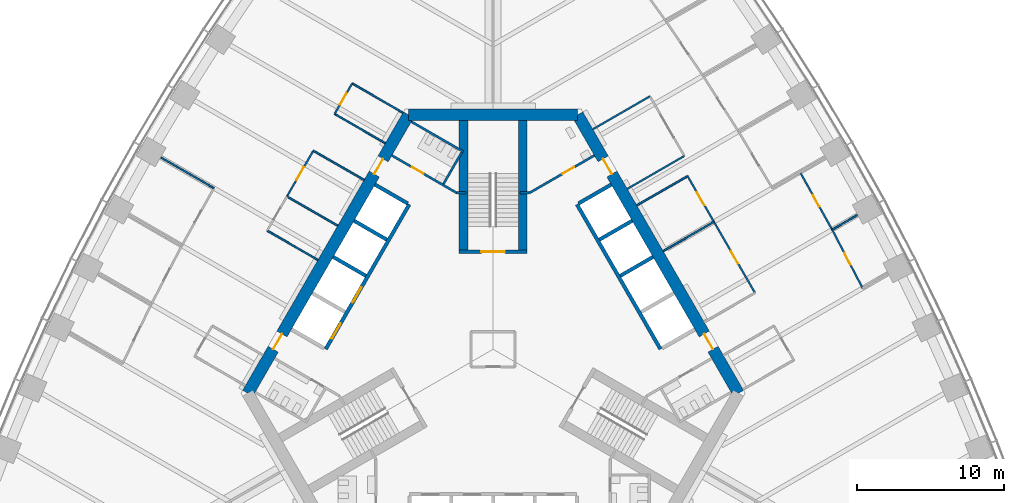
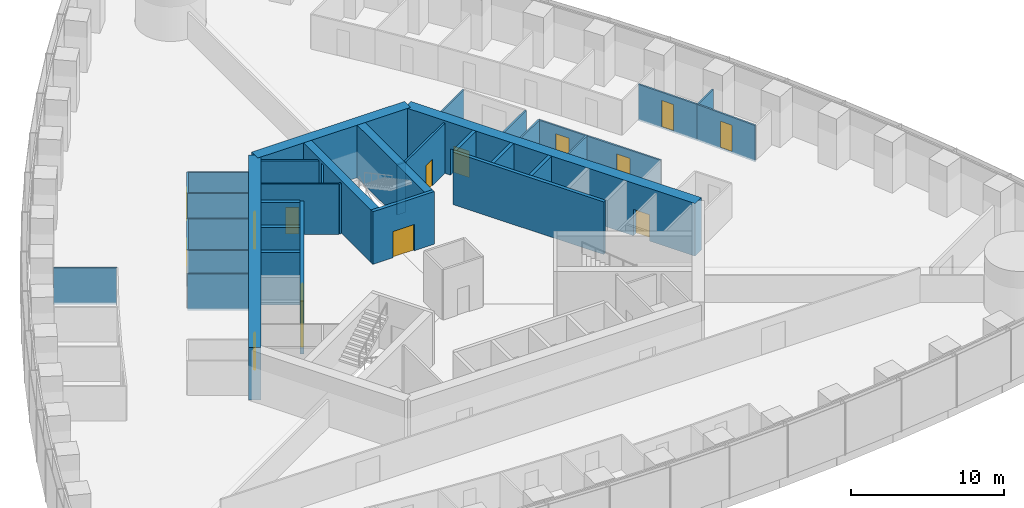
# One storey, part 12 of 18: 37 walls, 15 doors, 15 openings.
"""IFC4 building model written with IfcOpenShell, lengths in metres."""

from ifc_helpers import new_model, si_unit, direction, frame, frame_2d, origin, place, context, subcontext, project, spatial, rectangle, extrude, material, layer, layer_set, type_object, element, fill, save


model = new_model("IFC4")

# Units and contexts
model_context = context("Model", 3, precision=1e-05, world=origin(), true_north=direction((0.0, 1.0)))
body_context = subcontext(model_context, "Body", "Model", "MODEL_VIEW")
ifc_project = project(units=[si_unit("LENGTHUNIT", "METRE"), si_unit("AREAUNIT", "SQUARE_METRE"), si_unit("VOLUMEUNIT", "CUBIC_METRE"), si_unit("PLANEANGLEUNIT", "RADIAN"), si_unit("MASSUNIT", "GRAM", prefix="KILO")], contexts=[model_context])

# Site, building, storey
site_placement = place(None, origin())
site = spatial("IfcSite", under=ifc_project, at=site_placement, CompositionType="ELEMENT")
building_placement = place(site_placement, origin())
building = spatial("IfcBuilding", under=site, at=building_placement, Name="Trefoil Bronze Tower", CompositionType="ELEMENT")
storey_placement = place(building_placement, frame((0.0, 0.0, 33.300048828125)))
storey = spatial("IfcBuildingStorey", under=building, at=storey_placement, Name="L07", CompositionType="ELEMENT", Elevation=33.300048828125)

# Wall, openings, doors
ifc_material_1 = material(Name="Concrete B80", Category="concrete")
ifc_layer_1 = layer(ifc_material_1, 0.800048828125)
ifc_layer_set_1 = layer_set([ifc_layer_1], Name="Core wall 800")
wall_type_1 = type_object("IfcWallType", Name="Core wall 800", PredefinedType="SHEAR", material=ifc_layer_set_1)
wall_1_placement = place(storey_placement, frame((16.7431640625, -3.0, 0.0), z_axis=(0.0, 0.0, 1.0), x_axis=(-0.500002442456, 0.866023993627, 0.0)))
wall_1 = element("IfcWall", 1, at=wall_1_placement, inside=storey, type_object=wall_type_1, Name="Core long wall 2 L07", PredefinedType="SHEAR", context=body_context, shape_type="SweptSolid", body=[
    extrude(rectangle(XDim=21.939453125, YDim=0.800048828125, at=frame_2d((10.9697265625, 0.0))), origin(), (0.0, 0.0, 1.0), 4.199951171875),
])
opening_1_placement = place(wall_1_placement, frame((17.269775390625, 0.0, 0.0)))
opening_1 = element("IfcOpeningElement", 2, at=opening_1_placement, cuts=wall_1, Name="Opening D2", PredefinedType="OPENING", context=body_context, shape_type="SweptSolid", body=[
    extrude(rectangle(XDim=1.199951171875, YDim=2.10009765625, at=frame_2d((0.60009765625, 1.050048828125))), frame((0.0, 0.409912109375, 0.0), z_axis=(0.0, -1.0, 0.0), x_axis=(1.0, 0.0, 0.0)), (0.0, 0.0, 1.0), 0.820068359375),
])
opening_2_placement = place(wall_1_placement, frame((3.4697265625, 0.0, 0.0)))
opening_2 = element("IfcOpeningElement", 3, at=opening_2_placement, cuts=wall_1, Name="Opening D2", PredefinedType="OPENING", context=body_context, shape_type="SweptSolid", body=[
    extrude(rectangle(XDim=1.199951171875, YDim=2.10009765625, at=frame_2d((0.60009765625, 1.050048828125))), frame((0.0, 0.409912109375, 0.0), z_axis=(0.0, -1.0, 0.0), x_axis=(1.0, 0.0, 0.0)), (0.0, 0.0, 1.0), 0.820068359375),
])
ifc_material_2 = material(Name="Steel door", Category="steel")
door_type_1 = type_object("IfcDoorType", Name="Lobby door 1200", OperationType="SINGLE_SWING_RIGHT", PredefinedType="DOOR", material=ifc_material_2)
door_1_placement = place(opening_1_placement, origin())
door_1 = element("IfcDoor", 4, at=door_1_placement, inside=storey, type_object=door_type_1, Name="Lobby door F2+ L07", OperationType="SINGLE_SWING_RIGHT", OverallHeight=2.10009765625, OverallWidth=1.199951171875, PredefinedType="DOOR", context=body_context, shape_type="SweptSolid", body=[
    extrude(rectangle(XDim=1.199951171875, YDim=2.10009765625, at=frame_2d((0.60009765625, 1.050048828125))), frame((0.0, 0.02490234375, 0.0), z_axis=(0.0, -1.0, 0.0), x_axis=(1.0, 0.0, 0.0)), (0.0, 0.0, 1.0), 0.050048828125),
])
fill(opening_1, door_1)
door_2_placement = place(opening_2_placement, origin())
door_2 = element("IfcDoor", 5, at=door_2_placement, inside=storey, type_object=door_type_1, Name="Lobby door F2- L07", OperationType="SINGLE_SWING_LEFT", OverallHeight=2.10009765625, OverallWidth=1.199951171875, PredefinedType="DOOR", context=body_context, shape_type="SweptSolid", body=[
    extrude(rectangle(XDim=1.199951171875, YDim=2.10009765625, at=frame_2d((0.60009765625, 1.050048828125))), frame((0.0, 0.02490234375, 0.0), z_axis=(0.0, -1.0, 0.0), x_axis=(1.0, 0.0, 0.0)), (0.0, 0.0, 1.0), 0.050048828125),
])
fill(opening_2, door_2)

# Wall
wall_2_placement = place(storey_placement, frame((5.7734375, 16.0, 0.0), z_axis=(0.0, 0.0, 1.0), x_axis=(-1.0, 0.0, 0.0)))
element("IfcWall", 6, at=wall_2_placement, inside=storey, type_object=wall_type_1, Name="Core short wall 2 L07", PredefinedType="SHEAR", context=body_context, shape_type="SweptSolid", body=[
    extrude(rectangle(XDim=11.546875, YDim=0.800048828125, at=frame_2d((5.7734375, 0.0))), origin(), (0.0, 0.0, 1.0), 4.199951171875),
])

# Wall, openings, doors
wall_3_placement = place(storey_placement, frame((-5.7734375, 16.0, 0.0), z_axis=(0.0, 0.0, 1.0), x_axis=(-0.500002442456, -0.866023993627, 0.0)))
wall_3 = element("IfcWall", 7, at=wall_3_placement, inside=storey, type_object=wall_type_1, Name="Core long wall 3 L07", PredefinedType="SHEAR", context=body_context, shape_type="SweptSolid", body=[
    extrude(rectangle(XDim=21.939453125, YDim=0.800048828125, at=frame_2d((10.9697265625, 0.0))), origin(), (0.0, 0.0, 1.0), 4.199951171875),
])
opening_3_placement = place(wall_3_placement, frame((17.269775390625, 0.0, 0.0)))
opening_3 = element("IfcOpeningElement", 8, at=opening_3_placement, cuts=wall_3, Name="Opening D2", PredefinedType="OPENING", context=body_context, shape_type="SweptSolid", body=[
    extrude(rectangle(XDim=1.199951171875, YDim=2.10009765625, at=frame_2d((0.60009765625, 1.050048828125))), frame((0.0, 0.409912109375, 0.0), z_axis=(0.0, -1.0, 0.0), x_axis=(1.0, 0.0, 0.0)), (0.0, 0.0, 1.0), 0.820068359375),
])
opening_4_placement = place(wall_3_placement, frame((3.4697265625, 0.0, 0.0)))
opening_4 = element("IfcOpeningElement", 9, at=opening_4_placement, cuts=wall_3, Name="Opening D2", PredefinedType="OPENING", context=body_context, shape_type="SweptSolid", body=[
    extrude(rectangle(XDim=1.199951171875, YDim=2.10009765625, at=frame_2d((0.60009765625, 1.050048828125))), frame((0.0, 0.409912109375, 0.0), z_axis=(0.0, -1.0, 0.0), x_axis=(1.0, 0.0, 0.0)), (0.0, 0.0, 1.0), 0.820068359375),
])
door_3_placement = place(opening_3_placement, origin())
door_3 = element("IfcDoor", 10, at=door_3_placement, inside=storey, type_object=door_type_1, Name="Lobby door F3+ L07", OperationType="SINGLE_SWING_RIGHT", OverallHeight=2.10009765625, OverallWidth=1.199951171875, PredefinedType="DOOR", context=body_context, shape_type="SweptSolid", body=[
    extrude(rectangle(XDim=1.199951171875, YDim=2.10009765625, at=frame_2d((0.60009765625, 1.050048828125))), frame((0.0, 0.02490234375, 0.0), z_axis=(0.0, -1.0, 0.0), x_axis=(1.0, 0.0, 0.0)), (0.0, 0.0, 1.0), 0.050048828125),
])
fill(opening_3, door_3)
door_4_placement = place(opening_4_placement, origin())
door_4 = element("IfcDoor", 11, at=door_4_placement, inside=storey, type_object=door_type_1, Name="Lobby door F3- L07", OperationType="SINGLE_SWING_LEFT", OverallHeight=2.10009765625, OverallWidth=1.199951171875, PredefinedType="DOOR", context=body_context, shape_type="SweptSolid", body=[
    extrude(rectangle(XDim=1.199951171875, YDim=2.10009765625, at=frame_2d((0.60009765625, 1.050048828125))), frame((0.0, 0.02490234375, 0.0), z_axis=(0.0, -1.0, 0.0), x_axis=(1.0, 0.0, 0.0)), (0.0, 0.0, 1.0), 0.050048828125),
])
fill(opening_4, door_4)

# Wall, opening, door
ifc_material_3 = material(Name="Glazed partition", Category="glass")
ifc_layer_2 = layer(ifc_material_3, 0.1201171875)
ifc_layer_set_2 = layer_set([ifc_layer_2], Name="Glazed partition 120")
wall_type_2 = type_object("IfcWallType", Name="Glazed partition 120", PredefinedType="PARTITIONING", material=ifc_layer_set_2)
wall_4_placement = place(storey_placement, frame((15.06884765625, 8.699951171875, 0.0), z_axis=(0.0, 0.0, 1.0), x_axis=(-0.500012057535, 0.866018442252, 0.0)))
wall_4 = element("IfcWall", 12, at=wall_4_placement, inside=storey, type_object=wall_type_2, Name="Partition F2 L07", PredefinedType="PARTITIONING", context=body_context, shape_type="SweptSolid", body=[
    extrude(rectangle(XDim=3.60009765625, YDim=0.1201171875, at=frame_2d((1.800048828125, 0.0))), origin(), (0.0, 0.0, 1.0), 2.89990234375),
])
opening_5_placement = place(wall_4_placement, frame((1.300048828125, 0.0, 0.14990234375)))
opening_5 = element("IfcOpeningElement", 13, at=opening_5_placement, cuts=wall_4, Name="Opening D9", PredefinedType="OPENING", context=body_context, shape_type="SweptSolid", body=[
    extrude(rectangle(XDim=1.0, YDim=2.10009765625, at=frame_2d((0.5, 1.050048828125))), frame((0.0, 0.070068359375, 0.0), z_axis=(0.0, -1.0, 0.0), x_axis=(1.0, 0.0, 0.0)), (0.0, 0.0, 1.0), 0.14013671875),
])
ifc_material_4 = material(Name="Glazed timber door", Category="wood")
door_type_2 = type_object("IfcDoorType", Name="Meeting room door 1000", OperationType="SINGLE_SWING_LEFT", PredefinedType="DOOR", material=ifc_material_4)
door_5_placement = place(opening_5_placement, origin())
door_5 = element("IfcDoor", 14, at=door_5_placement, inside=storey, type_object=door_type_2, Name="Meeting room door F2 L07", OperationType="SINGLE_SWING_LEFT", OverallHeight=2.10009765625, OverallWidth=1.0, PredefinedType="DOOR", context=body_context, shape_type="SweptSolid", body=[
    extrude(rectangle(XDim=1.0, YDim=2.10009765625, at=frame_2d((0.5, 1.050048828125))), frame((0.0, 0.02490234375, 0.0), z_axis=(0.0, -1.0, 0.0), x_axis=(1.0, 0.0, 0.0)), (0.0, 0.0, 1.0), 0.050048828125),
])
fill(opening_5, door_5)

wall_5_placement = place(storey_placement, frame((17.868896484375, 3.850341796875, 0.0), z_axis=(0.0, 0.0, 1.0), x_axis=(-0.500016814911, 0.866015695474, 0.0)))
wall_5 = element("IfcWall", 15, at=wall_5_placement, inside=storey, type_object=wall_type_2, Name="Partition F2 L07", PredefinedType="PARTITIONING", context=body_context, shape_type="SweptSolid", body=[
    extrude(rectangle(XDim=5.599853515625, YDim=0.1201171875, at=frame_2d((2.7998046875, 0.0))), origin(), (0.0, 0.0, 1.0), 2.89990234375),
])
opening_6_placement = place(wall_5_placement, frame((2.300048828125, 0.0, 0.14990234375)))
opening_6 = element("IfcOpeningElement", 16, at=opening_6_placement, cuts=wall_5, Name="Opening D9", PredefinedType="OPENING", context=body_context, shape_type="SweptSolid", body=[
    extrude(rectangle(XDim=1.0, YDim=2.10009765625, at=frame_2d((0.5, 1.050048828125))), frame((0.0, 0.070068359375, 0.0), z_axis=(0.0, -1.0, 0.0), x_axis=(1.0, 0.0, 0.0)), (0.0, 0.0, 1.0), 0.14013671875),
])
door_6_placement = place(opening_6_placement, origin())
door_6 = element("IfcDoor", 17, at=door_6_placement, inside=storey, type_object=door_type_2, Name="Meeting room door F2 L07", OperationType="SINGLE_SWING_RIGHT", OverallHeight=2.10009765625, OverallWidth=1.0, PredefinedType="DOOR", context=body_context, shape_type="SweptSolid", body=[
    extrude(rectangle(XDim=1.0, YDim=2.10009765625, at=frame_2d((0.5, 1.050048828125))), frame((0.0, 0.02490234375, 0.0), z_axis=(0.0, -1.0, 0.0), x_axis=(1.0, 0.0, 0.0)), (0.0, 0.0, 1.0), 0.050048828125),
])
fill(opening_6, door_6)

# Walls
wall_6_placement = place(storey_placement, frame((9.8046875, 9.817626953125, 0.0), z_axis=(0.0, 0.0, 1.0), x_axis=(0.866026010844, 0.49999894854, 0.0)))
element("IfcWall", 18, at=wall_6_placement, inside=storey, type_object=wall_type_2, Name="Partition F2 L07", PredefinedType="PARTITIONING", context=body_context, shape_type="SweptSolid", body=[
    extrude(rectangle(XDim=4.0, YDim=0.1201171875, at=frame_2d((2.0, 0.0))), origin(), (0.0, 0.0, 1.0), 2.89990234375),
])
wall_7_placement = place(storey_placement, frame((9.15478515625, 10.943603515625, 0.0), z_axis=(0.0, 0.0, 1.0), x_axis=(0.866017533419, 0.500013631625, 0.0)))
element("IfcWall", 19, at=wall_7_placement, inside=storey, type_object=wall_type_2, Name="Partition F2 L07", PredefinedType="PARTITIONING", context=body_context, shape_type="SweptSolid", body=[
    extrude(rectangle(XDim=4.499755859375, YDim=0.1201171875, at=frame_2d((2.25, 0.0))), origin(), (0.0, 0.0, 1.0), 2.89990234375),
])
wall_8_placement = place(storey_placement, frame((6.8046875, 15.013916015625, 0.0), z_axis=(0.0, 0.0, 1.0), x_axis=(0.866031096941, 0.499990139034, 0.0)))
element("IfcWall", 20, at=wall_8_placement, inside=storey, type_object=wall_type_2, Name="Partition F2 L07", PredefinedType="PARTITIONING", context=body_context, shape_type="SweptSolid", body=[
    extrude(rectangle(XDim=4.5, YDim=0.1201171875, at=frame_2d((2.25, 0.0))), origin(), (0.0, 0.0, 1.0), 2.89990234375),
])
wall_9_placement = place(storey_placement, frame((11.604736328125, 6.699951171875, 0.0), z_axis=(0.0, 0.0, 1.0), x_axis=(0.866026010844, 0.49999894854, 0.0)))
element("IfcWall", 21, at=wall_9_placement, inside=storey, type_object=wall_type_2, Name="Partition F2 L07", PredefinedType="PARTITIONING", context=body_context, shape_type="SweptSolid", body=[
    extrude(rectangle(XDim=4.0, YDim=0.1201171875, at=frame_2d((2.0, 0.0))), origin(), (0.0, 0.0, 1.0), 2.89990234375),
])

# Wall, opening, door
wall_10_placement = place(storey_placement, frame((23.13720703125, 8.162109375, 0.0), z_axis=(0.0, 0.0, 1.0), x_axis=(-0.487415216275, 0.87317031955, 0.0)))
wall_10 = element("IfcWall", 22, at=wall_10_placement, inside=storey, type_object=wall_type_2, Name="Partition F2 L07", PredefinedType="PARTITIONING", context=body_context, shape_type="SweptSolid", body=[
    extrude(rectangle(XDim=4.50048828125, YDim=0.1201171875, at=frame_2d((2.250244140625, 0.0))), origin(), (0.0, 0.0, 1.0), 2.89990234375),
])
opening_7_placement = place(wall_10_placement, frame((1.800048828125, 0.0, 0.14990234375)))
opening_7 = element("IfcOpeningElement", 23, at=opening_7_placement, cuts=wall_10, Name="Opening D8", PredefinedType="OPENING", context=body_context, shape_type="SweptSolid", body=[
    extrude(rectangle(XDim=0.89990234375, YDim=2.10009765625, at=frame_2d((0.449951171875, 1.050048828125))), frame((0.0, 0.070068359375, 0.0), z_axis=(0.0, -1.0, 0.0), x_axis=(1.0, 0.0, 0.0)), (0.0, 0.0, 1.0), 0.14013671875),
])
ifc_material_5 = material(Name="Timber door", Category="wood")
door_type_3 = type_object("IfcDoorType", Name="Office door 900", OperationType="SINGLE_SWING_LEFT", PredefinedType="DOOR", material=ifc_material_5)
door_7_placement = place(opening_7_placement, frame((0.89990234375, 0.0, 0.0), z_axis=(0.0, 0.0, 1.0), x_axis=(-1.0, 0.0, 0.0)))
door_7 = element("IfcDoor", 24, at=door_7_placement, inside=storey, type_object=door_type_3, Name="Print and store room door F2 L07", OperationType="SINGLE_SWING_RIGHT", OverallHeight=2.10009765625, OverallWidth=0.89990234375, PredefinedType="DOOR", context=body_context, shape_type="SweptSolid", body=[
    extrude(rectangle(XDim=0.89990234375, YDim=2.10009765625, at=frame_2d((0.449951171875, 1.050048828125))), frame((0.0, 0.02490234375, 0.0), z_axis=(0.0, -1.0, 0.0), x_axis=(1.0, 0.0, 0.0)), (0.0, 0.0, 1.0), 0.050048828125),
])
fill(opening_7, door_7)

wall_11_placement = place(storey_placement, frame((25.21728515625, 4.1669921875, 0.0), z_axis=(0.0, 0.0, 1.0), x_axis=(-0.461810056307, 0.886978845235, 0.0)))
wall_11 = element("IfcWall", 25, at=wall_11_placement, inside=storey, type_object=wall_type_2, Name="Partition F2 L07", PredefinedType="PARTITIONING", context=body_context, shape_type="SweptSolid", body=[
    extrude(rectangle(XDim=4.504150390625, YDim=0.1201171875, at=frame_2d((2.251953125, 0.0))), origin(), (0.0, 0.0, 1.0), 2.89990234375),
])
opening_8_placement = place(wall_11_placement, frame((1.800048828125, 0.0, 0.14990234375)))
opening_8 = element("IfcOpeningElement", 26, at=opening_8_placement, cuts=wall_11, Name="Opening D8", PredefinedType="OPENING", context=body_context, shape_type="SweptSolid", body=[
    extrude(rectangle(XDim=0.89990234375, YDim=2.10009765625, at=frame_2d((0.449951171875, 1.050048828125))), frame((0.0, 0.070068359375, 0.0), z_axis=(0.0, -1.0, 0.0), x_axis=(1.0, 0.0, 0.0)), (0.0, 0.0, 1.0), 0.14013671875),
])
door_8_placement = place(opening_8_placement, frame((0.89990234375, 0.0, 0.0), z_axis=(0.0, 0.0, 1.0), x_axis=(-1.0, 0.0, 0.0)))
door_8 = element("IfcDoor", 27, at=door_8_placement, inside=storey, type_object=door_type_3, Name="Comms room door F2 L07", OperationType="SINGLE_SWING_RIGHT", OverallHeight=2.10009765625, OverallWidth=0.89990234375, PredefinedType="DOOR", context=body_context, shape_type="SweptSolid", body=[
    extrude(rectangle(XDim=0.89990234375, YDim=2.10009765625, at=frame_2d((0.449951171875, 1.050048828125))), frame((0.0, 0.02490234375, 0.0), z_axis=(0.0, -1.0, 0.0), x_axis=(1.0, 0.0, 0.0)), (0.0, 0.0, 1.0), 0.050048828125),
])
fill(opening_8, door_8)

# Wall
wall_12_placement = place(storey_placement, frame((23.13720703125, 8.162109375, 0.0), z_axis=(0.0, 0.0, 1.0), x_axis=(0.866023728021, 0.500002902497, 0.0)))
element("IfcWall", 28, at=wall_12_placement, inside=storey, type_object=wall_type_2, Name="Partition F2 L07", PredefinedType="PARTITIONING", context=body_context, shape_type="SweptSolid", body=[
    extrude(rectangle(XDim=1.984375, YDim=0.1201171875, at=frame_2d((0.9921875, 0.0))), origin(), (0.0, 0.0, 1.0), 2.89990234375),
])

# Wall, opening, door
wall_13_placement = place(storey_placement, frame((-9.618896484375, 18.1396484375, 0.0), z_axis=(0.0, 0.0, 1.0), x_axis=(-0.500001309137, -0.866024647952, 0.0)))
wall_13 = element("IfcWall", 29, at=wall_13_placement, inside=storey, type_object=wall_type_2, Name="Partition F3 L07", PredefinedType="PARTITIONING", context=body_context, shape_type="SweptSolid", body=[
    extrude(rectangle(XDim=2.39990234375, YDim=0.1201171875, at=frame_2d((1.199951171875, 0.0))), origin(), (0.0, 0.0, 1.0), 2.89990234375),
])
opening_9_placement = place(wall_13_placement, frame((0.75, 0.0, 0.14990234375)))
opening_9 = element("IfcOpeningElement", 30, at=opening_9_placement, cuts=wall_13, Name="Opening D8", PredefinedType="OPENING", context=body_context, shape_type="SweptSolid", body=[
    extrude(rectangle(XDim=0.89990234375, YDim=2.10009765625, at=frame_2d((0.449951171875, 1.050048828125))), frame((0.0, 0.070068359375, 0.0), z_axis=(0.0, -1.0, 0.0), x_axis=(1.0, 0.0, 0.0)), (0.0, 0.0, 1.0), 0.14013671875),
])
door_9_placement = place(opening_9_placement, origin())
door_9 = element("IfcDoor", 31, at=door_9_placement, inside=storey, type_object=door_type_3, Name="Store door F3 L07", OperationType="SINGLE_SWING_RIGHT", OverallHeight=2.10009765625, OverallWidth=0.89990234375, PredefinedType="DOOR", context=body_context, shape_type="SweptSolid", body=[
    extrude(rectangle(XDim=0.89990234375, YDim=2.10009765625, at=frame_2d((0.449951171875, 1.050048828125))), frame((0.0, 0.02490234375, 0.0), z_axis=(0.0, -1.0, 0.0), x_axis=(1.0, 0.0, 0.0)), (0.0, 0.0, 1.0), 0.050048828125),
])
fill(opening_9, door_9)

wall_14_placement = place(storey_placement, frame((-12.268798828125, 13.5498046875, 0.0), z_axis=(0.0, 0.0, 1.0), x_axis=(-0.500012057535, -0.866018442252, 0.0)))
wall_14 = element("IfcWall", 32, at=wall_14_placement, inside=storey, type_object=wall_type_2, Name="Partition F3 L07", PredefinedType="PARTITIONING", context=body_context, shape_type="SweptSolid", body=[
    extrude(rectangle(XDim=3.60009765625, YDim=0.1201171875, at=frame_2d((1.800048828125, 0.0))), origin(), (0.0, 0.0, 1.0), 2.89990234375),
])
opening_10_placement = place(wall_14_placement, frame((1.300048828125, 0.0, 0.14990234375)))
opening_10 = element("IfcOpeningElement", 33, at=opening_10_placement, cuts=wall_14, Name="Opening D9", PredefinedType="OPENING", context=body_context, shape_type="SweptSolid", body=[
    extrude(rectangle(XDim=1.0, YDim=2.10009765625, at=frame_2d((0.5, 1.050048828125))), frame((0.0, 0.070068359375, 0.0), z_axis=(0.0, -1.0, 0.0), x_axis=(1.0, 0.0, 0.0)), (0.0, 0.0, 1.0), 0.14013671875),
])
door_10_placement = place(opening_10_placement, origin())
door_10 = element("IfcDoor", 34, at=door_10_placement, inside=storey, type_object=door_type_2, Name="Meeting room door F3 L07", OperationType="SINGLE_SWING_RIGHT", OverallHeight=2.10009765625, OverallWidth=1.0, PredefinedType="DOOR", context=body_context, shape_type="SweptSolid", body=[
    extrude(rectangle(XDim=1.0, YDim=2.10009765625, at=frame_2d((0.5, 1.050048828125))), frame((0.0, 0.02490234375, 0.0), z_axis=(0.0, -1.0, 0.0), x_axis=(1.0, 0.0, 0.0)), (0.0, 0.0, 1.0), 0.050048828125),
])
fill(opening_10, door_10)

# Walls
for number, where, z_axis, x_axis, name in (
    (35, (-11.954833984375, 6.09375, 0.0), (0.0, 0.0, 1.0), (-0.866026010844, 0.49999894854, 0.0), "Partition F3 L07"),
    (36, (-6.15478515625, 16.1396484375, 0.0), (0.0, 0.0, 1.0), (-0.866026010844, 0.49999894854, 0.0), "Partition F3 L07"),
    (37, (-10.604736328125, 8.43212890625, 0.0), (0.0, 0.0, 1.0), (-0.866026010844, 0.49999894854, 0.0), "Partition F3 L07"),
    (38, (-8.8046875, 11.5498046875, 0.0), (0.0, 0.0, 1.0), (-0.866026010844, 0.49999894854, 0.0), "Partition F3 L07"),
    (39, (-7.354736328125, 14.061279296875, 0.0), (0.0, 0.0, 1.0), (-0.866026010844, 0.49999894854, 0.0), "Partition F3 L07"),
):
    element("IfcWall", number, at=place(storey_placement, frame(where, z_axis=z_axis, x_axis=x_axis)), inside=storey, type_object=wall_type_2, Name=name, PredefinedType="PARTITIONING", context=body_context, shape_type="SweptSolid", body=[
        extrude(rectangle(XDim=4.0, YDim=0.1201171875, at=frame_2d((2.0, 0.0))), origin(), (0.0, 0.0, 1.0), 2.89990234375),
    ])
wall_15_placement = place(storey_placement, frame((-19.051513671875, 10.999267578125, 0.0), z_axis=(0.0, 0.0, 1.0), x_axis=(-0.866004239599, 0.500036655653, 0.0)))
element("IfcWall", 40, at=wall_15_placement, inside=storey, type_object=wall_type_2, Name="Partition F3 L07", PredefinedType="PARTITIONING", context=body_context, shape_type="SweptSolid", body=[
    extrude(rectangle(XDim=4.170166015625, YDim=0.1201171875, at=frame_2d((2.0849609375, 0.0))), origin(), (0.0, 0.0, 1.0), 2.89990234375),
])

# Wall, opening, door
ifc_material_6 = material(Name="Gypsum board on steel studs", Category="steel")
ifc_layer_3 = layer(ifc_material_6, 0.14990234375)
ifc_layer_set_3 = layer_set([ifc_layer_3], Name="Partition 150")
wall_type_3 = type_object("IfcWallType", Name="Partition 150", PredefinedType="PARTITIONING", material=ifc_layer_set_3)
wall_16_placement = place(storey_placement, frame((2.4951171875, 10.67822265625, 0.0), z_axis=(0.0, 0.0, 1.0), x_axis=(0.86602216432, 0.500005610874, 0.0)))
wall_16 = element("IfcWall", 41, at=wall_16_placement, inside=storey, type_object=wall_type_3, Name="Passage wall F2+ L07", PredefinedType="PARTITIONING", context=body_context, shape_type="SweptSolid", body=[
    extrude(rectangle(XDim=5.10009765625, YDim=0.14990234375, at=frame_2d((2.550048828125, 0.0))), origin(), (0.0, 0.0, 1.0), 4.0),
])
opening_11_placement = place(wall_16_placement, frame((2.60009765625, 0.0, 0.0)))
opening_11 = element("IfcOpeningElement", 42, at=opening_11_placement, cuts=wall_16, Name="Opening D3", PredefinedType="OPENING", context=body_context, shape_type="SweptSolid", body=[
    extrude(rectangle(XDim=0.89990234375, YDim=2.10009765625, at=frame_2d((0.449951171875, 1.050048828125))), frame((0.0, 0.0849609375, 0.0), z_axis=(0.0, -1.0, 0.0), x_axis=(1.0, 0.0, 0.0)), (0.0, 0.0, 1.0), 0.169921875),
])
ifc_material_7 = material(Name="Timber door", Category="wood")
door_type_4 = type_object("IfcDoorType", Name="WC door 900", OperationType="SINGLE_SWING_LEFT", PredefinedType="DOOR", material=ifc_material_7)
door_11_placement = place(opening_11_placement, origin())
door_11 = element("IfcDoor", 43, at=door_11_placement, inside=storey, type_object=door_type_4, Name="Accessible WC door L07", OperationType="SINGLE_SWING_RIGHT", OverallHeight=2.10009765625, OverallWidth=0.89990234375, PredefinedType="DOOR", context=body_context, shape_type="SweptSolid", body=[
    extrude(rectangle(XDim=0.89990234375, YDim=2.10009765625, at=frame_2d((0.449951171875, 1.050048828125))), frame((0.0, 0.02490234375, 0.0), z_axis=(0.0, -1.0, 0.0), x_axis=(1.0, 0.0, 0.0)), (0.0, 0.0, 1.0), 0.050048828125),
])
fill(opening_11, door_11)

wall_17_placement = place(storey_placement, frame((-2.4951171875, 10.67822265625, 0.0), z_axis=(0.0, 0.0, 1.0), x_axis=(-0.86602216432, 0.500005610874, 0.0)))
wall_17 = element("IfcWall", 44, at=wall_17_placement, inside=storey, type_object=wall_type_3, Name="Passage wall F3- L07", PredefinedType="PARTITIONING", context=body_context, shape_type="SweptSolid", body=[
    extrude(rectangle(XDim=5.10009765625, YDim=0.14990234375, at=frame_2d((2.550048828125, 0.0))), origin(), (0.0, 0.0, 1.0), 4.0),
])
opening_12_placement = place(wall_17_placement, frame((2.60009765625, 0.0, 0.0)))
opening_12 = element("IfcOpeningElement", 45, at=opening_12_placement, cuts=wall_17, Name="Opening D3", PredefinedType="OPENING", context=body_context, shape_type="SweptSolid", body=[
    extrude(rectangle(XDim=0.89990234375, YDim=2.10009765625, at=frame_2d((0.449951171875, 1.050048828125))), frame((0.0, 0.0849609375, 0.0), z_axis=(0.0, -1.0, 0.0), x_axis=(1.0, 0.0, 0.0)), (0.0, 0.0, 1.0), 0.169921875),
])
door_12_placement = place(opening_12_placement, frame((0.89990234375, 0.0, 0.0), z_axis=(0.0, 0.0, 1.0), x_axis=(-1.0, 0.0, 0.0)))
door_12 = element("IfcDoor", 46, at=door_12_placement, inside=storey, type_object=door_type_4, Name="WC (women) door L07", OperationType="SINGLE_SWING_RIGHT", OverallHeight=2.10009765625, OverallWidth=0.89990234375, PredefinedType="DOOR", context=body_context, shape_type="SweptSolid", body=[
    extrude(rectangle(XDim=0.89990234375, YDim=2.10009765625, at=frame_2d((0.449951171875, 1.050048828125))), frame((0.0, 0.02490234375, 0.0), z_axis=(0.0, -1.0, 0.0), x_axis=(1.0, 0.0, 0.0)), (0.0, 0.0, 1.0), 0.050048828125),
])
fill(opening_12, door_12)

# Walls
for number, where, z_axis, x_axis, name in (
    (47, (2.4951171875, 10.67822265625, 0.0), (0.0, 0.0, 1.0), (-1.0, 0.0, 0.0), "WC wall ST2-1 L07"),
    (48, (-2.4951171875, 10.67822265625, 0.0), (0.0, 0.0, 1.0), (1.0, 0.0, 0.0), "WC wall ST2+1 L07"),
):
    element("IfcWall", number, at=place(storey_placement, frame(where, z_axis=z_axis, x_axis=x_axis)), inside=storey, type_object=wall_type_3, Name=name, PredefinedType="PARTITIONING", context=body_context, shape_type="SweptSolid", body=[
        extrude(rectangle(XDim=0.64501953125, YDim=0.14990234375, at=frame_2d((0.322509765625, 0.0))), origin(), (0.0, 0.0, 1.0), 4.0),
    ])
wall_18_placement = place(storey_placement, frame((-2.03125, 13.48193359375, 0.0), z_axis=(0.0, 0.0, 1.0), x_axis=(-0.866050731258, 0.499956128963, 0.0)))
element("IfcWall", 49, at=wall_18_placement, inside=storey, type_object=wall_type_3, Name="WC partition WC (women) L07", PredefinedType="PARTITIONING", context=body_context, shape_type="SweptSolid", body=[
    extrude(rectangle(XDim=4.099853515625, YDim=0.14990234375, at=frame_2d((2.0498046875, 0.0))), origin(), (0.0, 0.0, 1.0), 4.0),
])
wall_19_placement = place(storey_placement, frame((-3.388671875, 11.28076171875, 0.0), z_axis=(0.0, 0.0, 1.0), x_axis=(0.499989096993, 0.866031698547, 0.0)))
element("IfcWall", 50, at=wall_19_placement, inside=storey, type_object=wall_type_3, Name="WC partition WC (women) L07", PredefinedType="PARTITIONING", context=body_context, shape_type="SweptSolid", body=[
    extrude(rectangle(XDim=2.509765625, YDim=0.14990234375, at=frame_2d((1.2548828125, 0.0))), origin(), (0.0, 0.0, 1.0), 4.0),
])
ifc_material_8 = material(Name="Concrete B80", Category="concrete")
ifc_layer_4 = layer(ifc_material_8, 0.25)
ifc_layer_set_4 = layer_set([ifc_layer_4], Name="Shaft wall 250")
wall_type_4 = type_object("IfcWallType", Name="Shaft wall 250", PredefinedType="SHEAR", material=ifc_layer_set_4)
wall_20_placement = place(storey_placement, frame((11.423583984375, 0.013671875, 0.0), z_axis=(0.0, 0.0, 1.0), x_axis=(-0.500001763848, 0.866024385424, 0.0)))
element("IfcWall", 51, at=wall_20_placement, inside=storey, type_object=wall_type_4, Name="Lift shaft front wall B L07", PredefinedType="SHEAR", context=body_context, shape_type="SweptSolid", body=[
    extrude(rectangle(XDim=11.39990234375, YDim=0.25, at=frame_2d((5.699951171875, 0.0))), origin(), (0.0, 0.0, 1.0), 4.199951171875),
])
for number, where, z_axis, x_axis, name in (
    (52, (8.681884765625, 5.012451171875, 0.0), (0.0, 0.0, 1.0), (0.866005588531, 0.500034319456, 0.0), "Lift shaft side wall B2 L07"),
    (53, (7.2568359375, 7.480712890625, 0.0), (0.0, 0.0, 1.0), (0.866046643894, 0.499963209246, 0.0), "Lift shaft side wall B3 L07"),
):
    element("IfcWall", number, at=place(storey_placement, frame(where, z_axis=z_axis, x_axis=x_axis)), inside=storey, type_object=wall_type_4, Name=name, PredefinedType="SHEAR", context=body_context, shape_type="SweptSolid", body=[
        extrude(rectangle(XDim=2.574951171875, YDim=0.25, at=frame_2d((1.28759765625, 0.0))), origin(), (0.0, 0.0, 1.0), 4.199951171875),
    ])
wall_21_placement = place(storey_placement, frame((5.831787109375, 9.94873046875, 0.0), z_axis=(0.0, 0.0, 1.0), x_axis=(0.866029291668, 0.499993265928, 0.0)))
element("IfcWall", 54, at=wall_21_placement, inside=storey, type_object=wall_type_4, Name="Lift shaft side wall B4 L07", PredefinedType="SHEAR", context=body_context, shape_type="SweptSolid", body=[
    extrude(rectangle(XDim=2.5751953125, YDim=0.25, at=frame_2d((1.28759765625, 0.0))), origin(), (0.0, 0.0, 1.0), 4.199951171875),
])

# Wall, openings, doors
wall_22_placement = place(storey_placement, frame((-5.7236328125, 9.88623046875, 0.0), z_axis=(0.0, 0.0, 1.0), x_axis=(-0.500001763848, -0.866024385424, 0.0)))
wall_22 = element("IfcWall", 55, at=wall_22_placement, inside=storey, type_object=wall_type_4, Name="Lift shaft front wall C L07", PredefinedType="SHEAR", context=body_context, shape_type="SweptSolid", body=[
    extrude(rectangle(XDim=11.39990234375, YDim=0.25, at=frame_2d((5.699951171875, 0.0))), origin(), (0.0, 0.0, 1.0), 4.199951171875),
])
opening_13_placement = place(wall_22_placement, frame((6.52490234375, 0.0, 0.0)))
opening_13 = element("IfcOpeningElement", 56, at=opening_13_placement, cuts=wall_22, Name="Opening LD-FL1", PredefinedType="OPENING", context=body_context, shape_type="SweptSolid", body=[
    extrude(rectangle(XDim=1.199951171875, YDim=2.199951171875, at=frame_2d((0.60009765625, 1.10009765625))), frame((0.0, 0.135009765625, 0.0), z_axis=(0.0, -1.0, 0.0), x_axis=(1.0, 0.0, 0.0)), (0.0, 0.0, 1.0), 0.27001953125),
])
opening_14_placement = place(wall_22_placement, frame((9.375, 0.0, 0.0)))
opening_14 = element("IfcOpeningElement", 57, at=opening_14_placement, cuts=wall_22, Name="Opening LD-FL2", PredefinedType="OPENING", context=body_context, shape_type="SweptSolid", body=[
    extrude(rectangle(XDim=1.199951171875, YDim=2.199951171875, at=frame_2d((0.60009765625, 1.10009765625))), frame((0.0, 0.135009765625, 0.0), z_axis=(0.0, -1.0, 0.0), x_axis=(1.0, 0.0, 0.0)), (0.0, 0.0, 1.0), 0.27001953125),
])
ifc_material_9 = material(Name="Steel door", Category="steel")
door_type_5 = type_object("IfcDoorType", Name="Lift landing door 1200", OperationType="DOUBLE_DOOR_SLIDING", PredefinedType="DOOR", material=ifc_material_9)
door_13_placement = place(opening_13_placement, origin())
door_13 = element("IfcDoor", 58, at=door_13_placement, inside=storey, type_object=door_type_5, Name="Lift FL1 landing door L07", OperationType="DOUBLE_DOOR_SLIDING", OverallHeight=2.199951171875, OverallWidth=1.199951171875, PredefinedType="DOOR", context=body_context, shape_type="SweptSolid", body=[
    extrude(rectangle(XDim=1.199951171875, YDim=2.199951171875, at=frame_2d((0.60009765625, 1.10009765625))), frame((0.0, 0.02490234375, 0.0), z_axis=(0.0, -1.0, 0.0), x_axis=(1.0, 0.0, 0.0)), (0.0, 0.0, 1.0), 0.050048828125),
])
fill(opening_13, door_13)
door_14_placement = place(opening_14_placement, origin())
door_14 = element("IfcDoor", 59, at=door_14_placement, inside=storey, type_object=door_type_5, Name="Lift FL2 landing door L07", OperationType="DOUBLE_DOOR_SLIDING", OverallHeight=2.199951171875, OverallWidth=1.199951171875, PredefinedType="DOOR", context=body_context, shape_type="SweptSolid", body=[
    extrude(rectangle(XDim=1.199951171875, YDim=2.199951171875, at=frame_2d((0.60009765625, 1.10009765625))), frame((0.0, 0.02490234375, 0.0), z_axis=(0.0, -1.0, 0.0), x_axis=(1.0, 0.0, 0.0)), (0.0, 0.0, 1.0), 0.050048828125),
])
fill(opening_14, door_14)

# Walls
wall_23_placement = place(storey_placement, frame((-5.831787109375, 9.94873046875, 0.0), z_axis=(0.0, 0.0, 1.0), x_axis=(-0.866029291668, 0.499993265928, 0.0)))
element("IfcWall", 60, at=wall_23_placement, inside=storey, type_object=wall_type_4, Name="Lift shaft side wall C0 L07", PredefinedType="SHEAR", context=body_context, shape_type="SweptSolid", body=[
    extrude(rectangle(XDim=2.5751953125, YDim=0.25, at=frame_2d((1.28759765625, 0.0))), origin(), (0.0, 0.0, 1.0), 4.199951171875),
])
for number, where, z_axis, x_axis, name in (
    (61, (-7.2568359375, 7.480712890625, 0.0), (0.0, 0.0, 1.0), (-0.866046643894, 0.499963209246, 0.0), "Lift shaft side wall C1 L07"),
    (62, (-8.681884765625, 5.012451171875, 0.0), (0.0, 0.0, 1.0), (-0.866005588531, 0.500034319456, 0.0), "Lift shaft side wall C2 L07"),
):
    element("IfcWall", number, at=place(storey_placement, frame(where, z_axis=z_axis, x_axis=x_axis)), inside=storey, type_object=wall_type_4, Name=name, PredefinedType="SHEAR", context=body_context, shape_type="SweptSolid", body=[
        extrude(rectangle(XDim=2.574951171875, YDim=0.25, at=frame_2d((1.28759765625, 0.0))), origin(), (0.0, 0.0, 1.0), 4.199951171875),
    ])

# Wall, opening, door
wall_24_placement = place(storey_placement, frame((2.324951171875, 6.64990234375, 0.0), z_axis=(0.0, 0.0, 1.0), x_axis=(-1.0, 0.0, 0.0)))
wall_24 = element("IfcWall", 63, at=wall_24_placement, inside=storey, type_object=wall_type_4, Name="Stair end wall ST2 L07", PredefinedType="SHEAR", context=body_context, shape_type="SweptSolid", body=[
    extrude(rectangle(XDim=4.64990234375, YDim=0.25, at=frame_2d((2.324951171875, 0.0))), origin(), (0.0, 0.0, 1.0), 4.199951171875),
])
opening_15_placement = place(wall_24_placement, frame((1.52490234375, 0.0, 0.0)))
opening_15 = element("IfcOpeningElement", 64, at=opening_15_placement, cuts=wall_24, Name="Opening D1", PredefinedType="OPENING", context=body_context, shape_type="SweptSolid", body=[
    extrude(rectangle(XDim=1.60009765625, YDim=2.10009765625, at=frame_2d((0.800048828125, 1.050048828125))), frame((0.0, 0.135009765625, 0.0), z_axis=(0.0, -1.0, 0.0), x_axis=(1.0, 0.0, 0.0)), (0.0, 0.0, 1.0), 0.27001953125),
])
ifc_material_10 = material(Name="Steel door", Category="steel")
door_type_6 = type_object("IfcDoorType", Name="Stair door 1600", OperationType="DOUBLE_DOOR_SINGLE_SWING", PredefinedType="DOOR", material=ifc_material_10)
door_15_placement = place(opening_15_placement, frame((1.60009765625, 0.0, 0.0), z_axis=(0.0, 0.0, 1.0), x_axis=(-1.0, 0.0, 0.0)))
door_15 = element("IfcDoor", 65, at=door_15_placement, inside=storey, type_object=door_type_6, Name="Stair door ST2 L07", OperationType="DOUBLE_DOOR_SINGLE_SWING", OverallHeight=2.10009765625, OverallWidth=1.60009765625, PredefinedType="DOOR", context=body_context, shape_type="SweptSolid", body=[
    extrude(rectangle(XDim=1.60009765625, YDim=2.10009765625, at=frame_2d((0.800048828125, 1.050048828125))), frame((0.0, 0.02490234375, 0.0), z_axis=(0.0, -1.0, 0.0), x_axis=(1.0, 0.0, 0.0)), (0.0, 0.0, 1.0), 0.050048828125),
])
fill(opening_15, door_15)

# Walls
ifc_material_11 = material(Name="Concrete B80", Category="concrete")
ifc_layer_5 = layer(ifc_material_11, 0.60009765625)
ifc_layer_set_5 = layer_set([ifc_layer_5], Name="Stair wall 600")
wall_type_5 = type_object("IfcWallType", Name="Stair wall 600", PredefinedType="SHEAR", material=ifc_layer_set_5)
for number, where, z_axis, x_axis, name in (
    (66, (2.02490234375, 6.52490234375, 0.0), (0.0, 0.0, 1.0), (0.0, 1.0, 0.0), "Stair wall ST2 L07"),
    (67, (-2.02490234375, 6.52490234375, 0.0), (0.0, 0.0, 1.0), (0.0, 1.0, 0.0), "Stair wall ST2 L07"),
):
    element("IfcWall", number, at=place(storey_placement, frame(where, z_axis=z_axis, x_axis=x_axis)), inside=storey, type_object=wall_type_5, Name=name, PredefinedType="SHEAR", context=body_context, shape_type="SweptSolid", body=[
        extrude(rectangle(XDim=9.0751953125, YDim=0.60009765625, at=frame_2d((4.53759765625, 0.0))), origin(), (0.0, 0.0, 1.0), 4.199951171875),
    ])

save(model, "model.ifc")
